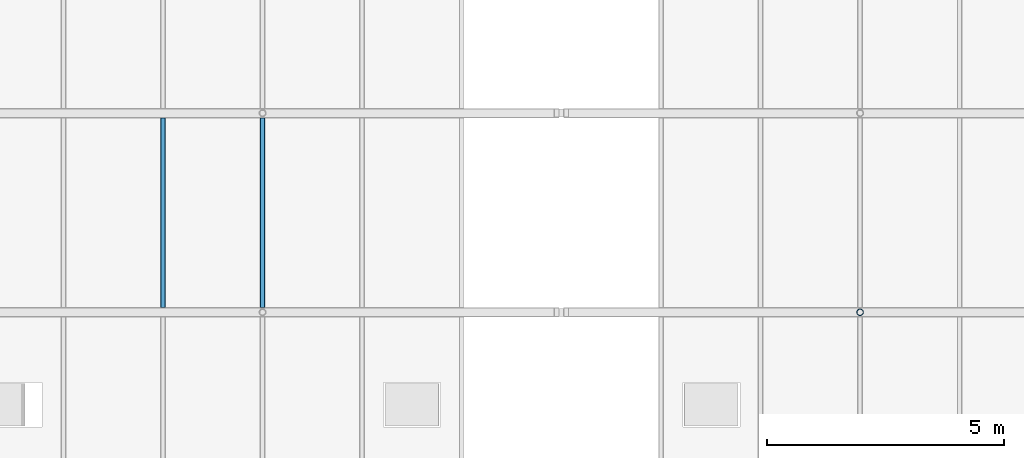
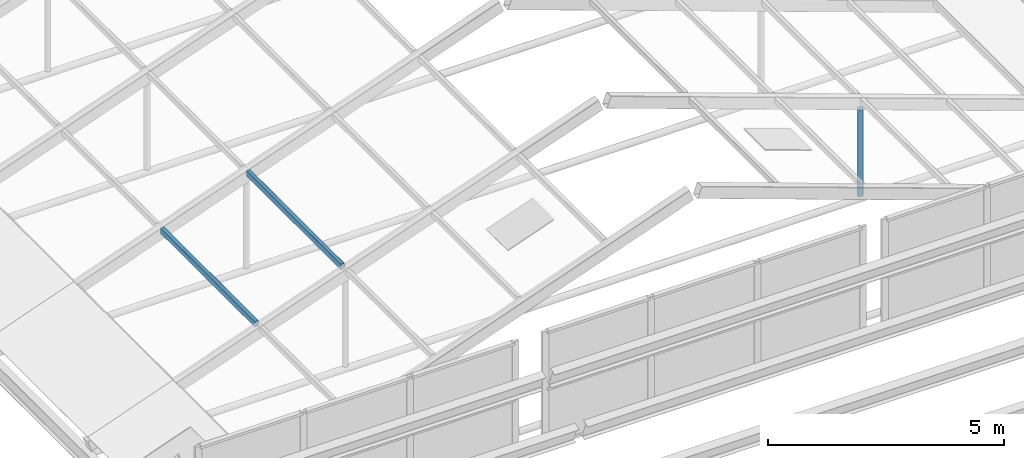
# One storey, part 30 of 116: 3 members.
"""IFC4 building model written with IfcOpenShell, lengths in metres."""

import ifcopenshell
import ifcopenshell.guid

model = None  # the IFC model being written
_history = None  # IfcOwnerHistory: only IFC2X3 demands one
_inside = {}  # id of a spatial element -> (the spatial element, [elements in it])
_under = {}  # id of a project, library or spatial element -> (it, [spatial elements below it])
_declared = {}  # id of a project -> (the project, [libraries it declares])
_typed = {}  # id of a type object -> (the type object, [elements of that type])
_made_of = {}  # id of a material, layer set ... -> (it, [elements and type objects made of it])


def new_model(schema):
    """Start an empty IFC model of exactly this schema.

    Asked for "IFC4X3", IfcOpenShell would pick the latest addendum, in which some entities
    have other attributes; the version numbers below select the first issue.
    IFC2X3 requires an IfcOwnerHistory on every rooted entity: one is made here for all.
    """
    global model, _history
    if schema == "IFC4X3":
        model = ifcopenshell.file(schema_version=(4, 3, 0, 0))
    else:
        model = ifcopenshell.file(schema=schema)
    _inside.clear()
    _under.clear()
    _declared.clear()
    _typed.clear()
    _made_of.clear()
    _history = None
    if model.schema == "IFC2X3":
        org = make("IfcOrganization", Name="unknown")
        user = make(
            "IfcPersonAndOrganization",
            ThePerson=make("IfcPerson", FamilyName="unknown"),
            TheOrganization=org,
        )
        app = make(
            "IfcApplication",
            ApplicationDeveloper=org,
            Version="unknown",
            ApplicationFullName="unknown",
            ApplicationIdentifier="unknown",
        )
        _history = make(
            "IfcOwnerHistory",
            OwningUser=user,
            OwningApplication=app,
            ChangeAction="ADDED",
            CreationDate=0,
        )
    return model


def make(cls, **values):
    """One entity of the class cls with the attributes given. An attribute that is None is left unset."""
    return model.create_entity(
        cls, **{name: value for name, value in values.items() if value is not None}
    )


def rooted(cls, **values):
    """An entity with a GlobalId (a new one), such as an element, a storey or a relation."""
    return make(cls, GlobalId=ifcopenshell.guid.new(), OwnerHistory=_history, **values)


def si_unit(unit_type, name, prefix=None):
    """IfcSIUnit, for example si_unit("LENGTHUNIT", "METRE", prefix="MILLI")."""
    return make("IfcSIUnit", UnitType=unit_type, Prefix=prefix, Name=name)


def assignment(units):
    """IfcUnitAssignment: the units of a project."""
    return None if units is None else make("IfcUnitAssignment", Units=units)


def point(xyz):
    """IfcCartesianPoint."""
    return None if xyz is None else make("IfcCartesianPoint", Coordinates=xyz)


def direction(xyz):
    """IfcDirection."""
    return None if xyz is None else make("IfcDirection", DirectionRatios=xyz)


def frame(location, z_axis=None, x_axis=None):
    """IfcAxis2Placement3D, a coordinate frame: its origin and axes. An axis left out is left unset."""
    return make(
        "IfcAxis2Placement3D",
        Location=point(location),
        Axis=direction(z_axis),
        RefDirection=direction(x_axis),
    )


def frame_2d(location, x_axis=None):
    """IfcAxis2Placement2D, a coordinate frame in the plane: its origin and x axis."""
    return make(
        "IfcAxis2Placement2D", Location=point(location), RefDirection=direction(x_axis)
    )


def origin():
    """The frame at (0, 0, 0) with its axes left unset."""
    return frame((0.0, 0.0, 0.0))


def origin_2d():
    """The frame at (0, 0) in the plane with its x axis left unset."""
    return frame_2d((0.0, 0.0))


def place(relative_to, where):
    """IfcLocalPlacement: puts the frame where relative to a parent placement (None: the world)."""
    return make(
        "IfcLocalPlacement", PlacementRelTo=relative_to, RelativePlacement=where
    )


def context(
    kind, dimensions, precision=None, world=None, true_north=None, identifier=None
):
    """IfcGeometricRepresentationContext, for example the 3D "Model" context."""
    return make(
        "IfcGeometricRepresentationContext",
        ContextIdentifier=identifier,
        ContextType=kind,
        CoordinateSpaceDimension=dimensions,
        Precision=precision,
        WorldCoordinateSystem=world,
        TrueNorth=true_north,
    )


def subcontext(parent, identifier, kind, view, scale=None):
    """IfcGeometricRepresentationSubContext, for example "Body" below "Model"."""
    return make(
        "IfcGeometricRepresentationSubContext",
        ContextIdentifier=identifier,
        ContextType=kind,
        ParentContext=parent,
        TargetScale=scale,
        TargetView=view,
    )


def project(units=None, contexts=None):
    """IfcProject with its units and contexts."""
    return rooted(
        "IfcProject",
        Name="project",
        RepresentationContexts=contexts,
        UnitsInContext=assignment(units),
    )


def spatial(cls, under=None, at=None, **own):
    """A site, building, storey or space (cls), placed at a placement, below another one or the project."""
    s = rooted(cls, ObjectPlacement=at, **own)
    if under is not None:
        _under.setdefault(under.id(), (under, []))[1].append(s)
    return s


def profile(cls, at=None, kind="AREA", **sizes):
    """A parametric profile (cls). Its sizes go by their IFC names, for example OverallWidth=200.0."""
    return make(cls, ProfileType=kind, Position=at, **sizes)


def hollow_rectangle(**sizes):
    """IfcRectangleHollowProfileDef."""
    return profile("IfcRectangleHollowProfileDef", **sizes)


def hollow_circle(**sizes):
    """IfcCircleHollowProfileDef."""
    return profile("IfcCircleHollowProfileDef", **sizes)


def extrude(swept, where, along, depth):
    """IfcExtrudedAreaSolid: the profile swept, set in the frame where, extruded along a direction by depth."""
    return make(
        "IfcExtrudedAreaSolid",
        SweptArea=swept,
        Position=where,
        ExtrudedDirection=direction(along),
        Depth=depth,
    )


def shape(context_of_items, identifier, shape_type, items):
    """IfcShapeRepresentation: the items that make up one representation, for example the "Body"."""
    return make(
        "IfcShapeRepresentation",
        ContextOfItems=context_of_items,
        RepresentationIdentifier=identifier,
        RepresentationType=shape_type,
        Items=items,
    )


def material(Name=None, Category=None):
    """IfcMaterial."""
    return make("IfcMaterial", Name=Name, Category=Category)


def material_profile(
    of_material, cross_section, Name=None, Category=None, Priority=None
):
    """IfcMaterialProfile: a cross section and its material."""
    return make(
        "IfcMaterialProfile",
        Name=Name,
        Material=of_material,
        Profile=cross_section,
        Priority=Priority,
        Category=Category,
    )


def profile_set(profiles, Name=None, composite=None):
    """IfcMaterialProfileSet."""
    return make(
        "IfcMaterialProfileSet",
        Name=Name,
        MaterialProfiles=profiles,
        CompositeProfile=composite,
    )


def made_of(thing, what):
    """Note that an element or type object is made of a material, layer set ...; save() writes the relation."""
    if what is not None:
        _made_of.setdefault(what.id(), (what, []))[1].append(thing)
    return thing


def type_object(cls, material=None, **own):
    """A type object (cls), such as IfcWallType, which elements share."""
    return made_of(rooted(cls, **own), material)


def element(
    cls,
    number,
    at=None,
    inside=None,
    cuts=None,
    type_object=None,
    material=None,
    context=None,
    identifier="Body",
    shape_type=None,
    held_by="IfcProductDefinitionShape",
    body=None,
    shapes=None,
    **own,
):
    """One element of the class cls, such as IfcWall. Its Tag is "e" and its number.

    at: its placement. inside: the storey or other place that contains it. cuts: it is an
    opening in that element (IfcRelVoidsElement). A single representation is given by context,
    identifier, shape_type and body (its items); several are given by shapes. held_by: the class
    of the entity that holds the representations. save() writes the other relations.
    """
    e = rooted(cls, Tag="e%d" % number, ObjectPlacement=at, **own)
    if body is not None:
        shapes = [shape(context, identifier, shape_type, body)]
    if shapes is not None:
        e.Representation = make(held_by, Representations=shapes)
    if inside is not None:
        _inside.setdefault(inside.id(), (inside, []))[1].append(e)
    if cuts is not None:
        rooted(
            "IfcRelVoidsElement", RelatingBuildingElement=cuts, RelatedOpeningElement=e
        )
    if type_object is not None:
        _typed.setdefault(type_object.id(), (type_object, []))[1].append(e)
    return made_of(e, material)


def aggregate(whole, parts):
    """IfcRelAggregates: a whole, such as a stair, and the parts it consists of."""
    return rooted("IfcRelAggregates", RelatingObject=whole, RelatedObjects=parts)


def save(model, path):
    """Write the relations noted so far, then the file.

    IfcRelAggregates (storeys below a building ...), IfcRelContainedInSpatialStructure (elements
    in a storey), IfcRelDefinesByType, IfcRelAssociatesMaterial and IfcRelDeclares: one each for
    every whole, place, type object, material and project.
    """
    for whole, parts in _under.values():
        aggregate(whole, parts)
    for where, things in _inside.values():
        rooted(
            "IfcRelContainedInSpatialStructure",
            RelatedElements=things,
            RelatingStructure=where,
        )
    for kind, things in _typed.values():
        rooted("IfcRelDefinesByType", RelatedObjects=things, RelatingType=kind)
    for what, things in _made_of.values():
        rooted("IfcRelAssociatesMaterial", RelatedObjects=things, RelatingMaterial=what)
    for by, libraries in _declared.values():
        rooted("IfcRelDeclares", RelatingContext=by, RelatedDefinitions=libraries)
    model.write(path)


model = new_model("IFC4")

# Units and contexts
model_context = context("Model", 3, precision=1e-05, world=origin(), true_north=direction((0.0, 1.0)))
body_context = subcontext(model_context, "Body", "Model", "MODEL_VIEW")
ifc_project = project(units=[si_unit("LENGTHUNIT", "METRE"), si_unit("AREAUNIT", "SQUARE_METRE"), si_unit("VOLUMEUNIT", "CUBIC_METRE"), si_unit("PLANEANGLEUNIT", "RADIAN"), si_unit("MASSUNIT", "GRAM", prefix="KILO")], contexts=[model_context])

# Site, building, storey
site_placement = place(None, origin())
site = spatial("IfcSite", under=ifc_project, at=site_placement, CompositionType="ELEMENT")
building_placement = place(site_placement, origin())
building = spatial("IfcBuilding", under=site, at=building_placement, Name="Fescue Hill Polytechnic", CompositionType="ELEMENT")
storey_placement = place(building_placement, frame((0.0, 0.0, 13.5)))
storey = spatial("IfcBuildingStorey", under=building, at=storey_placement, Name="L03", CompositionType="ELEMENT", Elevation=13.5)

# Members
ifc_material = material(Name="Steel 350W (350 MPa)", Category="steel")
ifc_material_profile_1 = material_profile(ifc_material, hollow_rectangle(XDim=0.1015625, YDim=0.15234375, WallThickness=0.00634765625, InnerFilletRadius=0.00634765625, OuterFilletRadius=0.0126953125, at=origin_2d()), Name="Winter garden glazing purlin HSS 152x102x6.4")
ifc_profile_set_1 = profile_set([ifc_material_profile_1], Name="Steel 350W (350 MPa)")
member_type_1 = type_object("IfcMemberType", Name="Winter garden glazing purlin HSS 152x102x6.4", PredefinedType="PURLIN", material=ifc_profile_set_1)
for number, where, z_axis, x_axis, name in (
    (1, (96.599853515625, 54.70166015625, 2.164306640625), (0.0, 1.0, 0.0), (-1.0, 0.0, 0.0), "Winter garden glazing purlin W2 bay 2"),
    (2, (98.69970703125, 54.70166015625, 2.914306640625), (0.0, 1.0, 0.0), (-1.0, 0.0, 0.0), "Winter garden glazing purlin W3 bay 2"),
):
    element("IfcMember", number, at=place(storey_placement, frame(where, z_axis=z_axis, x_axis=x_axis)), inside=storey, type_object=member_type_1, Name=name, PredefinedType="PURLIN", context=body_context, shape_type="SweptSolid", body=[
        extrude(hollow_rectangle(XDim=0.1015625, YDim=0.15234375, WallThickness=0.00634765625, InnerFilletRadius=0.00634765625, OuterFilletRadius=0.0126953125, at=origin_2d()), origin(), (0.0, 0.0, 1.0), 3.996826171875),
    ])
ifc_material_profile_2 = material_profile(ifc_material, hollow_circle(Radius=0.070556640625, WallThickness=0.00634765625, at=origin_2d()), Name="Winter garden queen post CHS 141x6.4")
ifc_profile_set_2 = profile_set([ifc_material_profile_2], Name="Steel 350W (350 MPa)")
member_type_2 = type_object("IfcMemberType", Name="Winter garden queen post CHS 141x6.4", PredefinedType="POST", material=ifc_profile_set_2)
member_placement = place(storey_placement, frame((111.300048828125, 54.60009765625, 0.4169921875), z_axis=(0.0, 0.0, 1.0), x_axis=(1.0, 0.0, 0.0)))
element("IfcMember", 3, at=member_placement, inside=storey, type_object=member_type_2, Name="Winter garden queen post 2B", PredefinedType="POST", context=body_context, shape_type="SweptSolid", body=[
    extrude(hollow_circle(Radius=0.070556640625, WallThickness=0.00634765625, at=origin_2d()), origin(), (0.0, 0.0, 1.0), 2.25),
])

save(model, "model.ifc")
